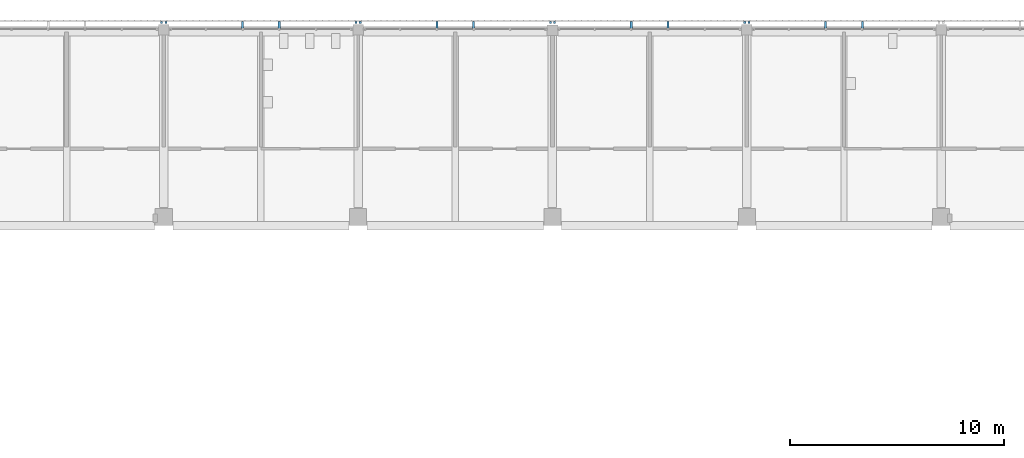
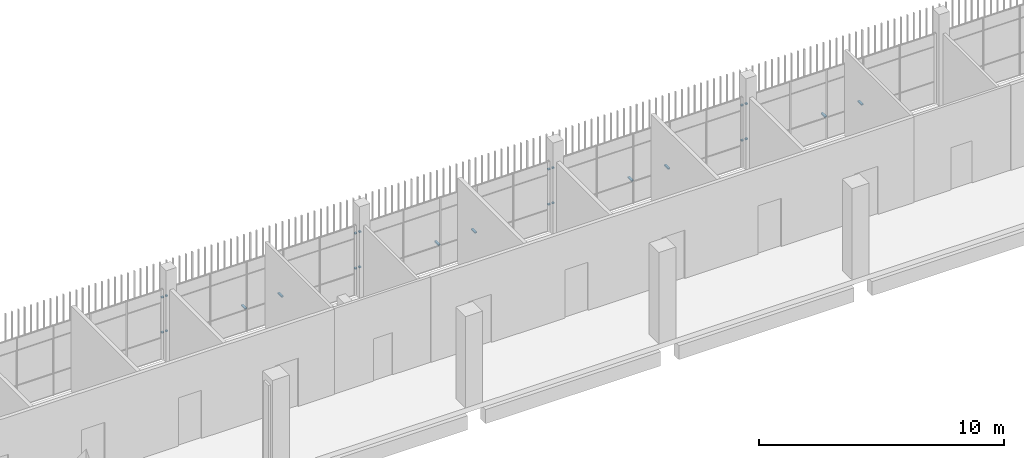
# One storey, part 97 of 124: 24 discrete accessories.
"""IFC4 building model written with IfcOpenShell, lengths in metres."""

from ifc_helpers import new_model, si_unit, direction, frame, origin, origin_2d, place, context, subcontext, project, spatial, rectangle, extrude, material, type_object, element, save


model = new_model("IFC4")

# Units and contexts
model_context = context("Model", 3, precision=1e-05, world=origin(), true_north=direction((0.0, 1.0)))
body_context = subcontext(model_context, "Body", "Model", "MODEL_VIEW")
ifc_project = project(units=[si_unit("LENGTHUNIT", "METRE"), si_unit("AREAUNIT", "SQUARE_METRE"), si_unit("VOLUMEUNIT", "CUBIC_METRE"), si_unit("PLANEANGLEUNIT", "RADIAN"), si_unit("MASSUNIT", "GRAM", prefix="KILO")], contexts=[model_context])

# Site, building, storey
site_placement = place(None, origin())
site = spatial("IfcSite", under=ifc_project, at=site_placement, CompositionType="ELEMENT")
building_placement = place(site_placement, origin())
building = spatial("IfcBuilding", under=site, at=building_placement, Name="Shirokan Park Arena", CompositionType="ELEMENT")
storey_placement = place(building_placement, frame((0.0, 0.0, 20.02001953125)))
storey = spatial("IfcBuildingStorey", under=building, at=storey_placement, Name="L04", CompositionType="ELEMENT", Elevation=20.02001953125)

# Discrete accessories
ifc_material = material(Name="Steel S355", Category="steel")
discrete_accessory_type = type_object("IfcDiscreteAccessoryType", Name="Veil bracket 100x60", PredefinedType="BRACKET", material=ifc_material)
for number, where, z_axis, x_axis, name in (
    (1, (91.10009765625, 109.597412109375, 1.070068359375), (0.0, 0.0, 1.0), (-1.0, 0.0, 0.0), "Veil bracket north bay 6 L04 2"),
    (2, (91.10009765625, 109.597412109375, 2.820068359375), (0.0, 0.0, 1.0), (-1.0, 0.0, 0.0), "Veil bracket north bay 6 L04 4"),
):
    element("IfcDiscreteAccessory", number, at=place(storey_placement, frame(where, z_axis=z_axis, x_axis=x_axis)), inside=storey, type_object=discrete_accessory_type, Name=name, PredefinedType="BRACKET", context=body_context, shape_type="SweptSolid", body=[
        extrude(rectangle(XDim=0.10009765625, YDim=0.094970703125, at=origin_2d()), origin(), (0.0, 0.0, 1.0), 0.06005859375),
    ])
for number, where, z_axis, x_axis, name in (
    (3, (96.409912109375, 109.485107421875, 1.070068359375), (0.0, 0.0, 1.0), (-1.0, 0.0, 0.0), "Veil bracket north bay 6 L04 wall 1"),
    (4, (94.68994140625, 109.485107421875, 1.070068359375), (0.0, 0.0, 1.0), (-1.0, 0.0, 0.0), "Veil bracket north bay 6 L04 wall 2"),
):
    element("IfcDiscreteAccessory", number, at=place(storey_placement, frame(where, z_axis=z_axis, x_axis=x_axis)), inside=storey, type_object=discrete_accessory_type, Name=name, PredefinedType="BRACKET", context=body_context, shape_type="SweptSolid", body=[
        extrude(rectangle(XDim=0.10009765625, YDim=0.320068359375, at=origin_2d()), origin(), (0.0, 0.0, 1.0), 0.06005859375),
    ])
for number, where, z_axis, x_axis, name in (
    (5, (90.89990234375, 109.597412109375, 1.070068359375), (0.0, 0.0, 1.0), (-1.0, 0.0, 0.0), "Veil bracket north bay 7 L04 1"),
    (6, (82.0, 109.597412109375, 1.070068359375), (0.0, 0.0, 1.0), (-1.0, 0.0, 0.0), "Veil bracket north bay 7 L04 2"),
    (7, (90.89990234375, 109.597412109375, 2.820068359375), (0.0, 0.0, 1.0), (-1.0, 0.0, 0.0), "Veil bracket north bay 7 L04 3"),
    (8, (82.0, 109.597412109375, 2.820068359375), (0.0, 0.0, 1.0), (-1.0, 0.0, 0.0), "Veil bracket north bay 7 L04 4"),
):
    element("IfcDiscreteAccessory", number, at=place(storey_placement, frame(where, z_axis=z_axis, x_axis=x_axis)), inside=storey, type_object=discrete_accessory_type, Name=name, PredefinedType="BRACKET", context=body_context, shape_type="SweptSolid", body=[
        extrude(rectangle(XDim=0.10009765625, YDim=0.094970703125, at=origin_2d()), origin(), (0.0, 0.0, 1.0), 0.06005859375),
    ])
for number, where, z_axis, x_axis, name in (
    (9, (87.31005859375, 109.485107421875, 1.070068359375), (0.0, 0.0, 1.0), (-1.0, 0.0, 0.0), "Veil bracket north bay 7 L04 wall 1"),
    (10, (85.590087890625, 109.485107421875, 1.070068359375), (0.0, 0.0, 1.0), (-1.0, 0.0, 0.0), "Veil bracket north bay 7 L04 wall 2"),
):
    element("IfcDiscreteAccessory", number, at=place(storey_placement, frame(where, z_axis=z_axis, x_axis=x_axis)), inside=storey, type_object=discrete_accessory_type, Name=name, PredefinedType="BRACKET", context=body_context, shape_type="SweptSolid", body=[
        extrude(rectangle(XDim=0.10009765625, YDim=0.320068359375, at=origin_2d()), origin(), (0.0, 0.0, 1.0), 0.06005859375),
    ])
for number, where, z_axis, x_axis, name in (
    (11, (81.800048828125, 109.597412109375, 1.070068359375), (0.0, 0.0, 1.0), (-1.0, 0.0, 0.0), "Veil bracket north bay 8 L04 1"),
    (12, (72.89990234375, 109.597412109375, 1.070068359375), (0.0, 0.0, 1.0), (-1.0, 0.0, 0.0), "Veil bracket north bay 8 L04 2"),
    (13, (81.800048828125, 109.597412109375, 2.820068359375), (0.0, 0.0, 1.0), (-1.0, 0.0, 0.0), "Veil bracket north bay 8 L04 3"),
    (14, (72.89990234375, 109.597412109375, 2.820068359375), (0.0, 0.0, 1.0), (-1.0, 0.0, 0.0), "Veil bracket north bay 8 L04 4"),
):
    element("IfcDiscreteAccessory", number, at=place(storey_placement, frame(where, z_axis=z_axis, x_axis=x_axis)), inside=storey, type_object=discrete_accessory_type, Name=name, PredefinedType="BRACKET", context=body_context, shape_type="SweptSolid", body=[
        extrude(rectangle(XDim=0.10009765625, YDim=0.094970703125, at=origin_2d()), origin(), (0.0, 0.0, 1.0), 0.06005859375),
    ])
for number, where, z_axis, x_axis, name in (
    (15, (78.2099609375, 109.485107421875, 1.070068359375), (0.0, 0.0, 1.0), (-1.0, 0.0, 0.0), "Veil bracket north bay 8 L04 wall 1"),
    (16, (76.489990234375, 109.485107421875, 1.070068359375), (0.0, 0.0, 1.0), (-1.0, 0.0, 0.0), "Veil bracket north bay 8 L04 wall 2"),
):
    element("IfcDiscreteAccessory", number, at=place(storey_placement, frame(where, z_axis=z_axis, x_axis=x_axis)), inside=storey, type_object=discrete_accessory_type, Name=name, PredefinedType="BRACKET", context=body_context, shape_type="SweptSolid", body=[
        extrude(rectangle(XDim=0.10009765625, YDim=0.320068359375, at=origin_2d()), origin(), (0.0, 0.0, 1.0), 0.06005859375),
    ])
for number, where, z_axis, x_axis, name in (
    (17, (72.699951171875, 109.597412109375, 1.070068359375), (0.0, 0.0, 1.0), (-1.0, 0.0, 0.0), "Veil bracket north bay 9 L04 1"),
    (18, (63.800048828125, 109.597412109375, 1.070068359375), (0.0, 0.0, 1.0), (-1.0, 0.0, 0.0), "Veil bracket north bay 9 L04 2"),
    (19, (72.699951171875, 109.597412109375, 2.820068359375), (0.0, 0.0, 1.0), (-1.0, 0.0, 0.0), "Veil bracket north bay 9 L04 3"),
    (20, (63.800048828125, 109.597412109375, 2.820068359375), (0.0, 0.0, 1.0), (-1.0, 0.0, 0.0), "Veil bracket north bay 9 L04 4"),
):
    element("IfcDiscreteAccessory", number, at=place(storey_placement, frame(where, z_axis=z_axis, x_axis=x_axis)), inside=storey, type_object=discrete_accessory_type, Name=name, PredefinedType="BRACKET", context=body_context, shape_type="SweptSolid", body=[
        extrude(rectangle(XDim=0.10009765625, YDim=0.094970703125, at=origin_2d()), origin(), (0.0, 0.0, 1.0), 0.06005859375),
    ])
for number, where, z_axis, x_axis, name in (
    (21, (69.110107421875, 109.485107421875, 1.070068359375), (0.0, 0.0, 1.0), (-1.0, 0.0, 0.0), "Veil bracket north bay 9 L04 wall 1"),
    (22, (67.389892578125, 109.485107421875, 1.070068359375), (0.0, 0.0, 1.0), (-1.0, 0.0, 0.0), "Veil bracket north bay 9 L04 wall 2"),
):
    element("IfcDiscreteAccessory", number, at=place(storey_placement, frame(where, z_axis=z_axis, x_axis=x_axis)), inside=storey, type_object=discrete_accessory_type, Name=name, PredefinedType="BRACKET", context=body_context, shape_type="SweptSolid", body=[
        extrude(rectangle(XDim=0.10009765625, YDim=0.320068359375, at=origin_2d()), origin(), (0.0, 0.0, 1.0), 0.06005859375),
    ])
for number, where, z_axis, x_axis, name in (
    (23, (63.60009765625, 109.597412109375, 1.070068359375), (0.0, 0.0, 1.0), (-1.0, 0.0, 0.0), "Veil bracket north bay 10 L04 1"),
    (24, (63.60009765625, 109.597412109375, 2.820068359375), (0.0, 0.0, 1.0), (-1.0, 0.0, 0.0), "Veil bracket north bay 10 L04 3"),
):
    element("IfcDiscreteAccessory", number, at=place(storey_placement, frame(where, z_axis=z_axis, x_axis=x_axis)), inside=storey, type_object=discrete_accessory_type, Name=name, PredefinedType="BRACKET", context=body_context, shape_type="SweptSolid", body=[
        extrude(rectangle(XDim=0.10009765625, YDim=0.094970703125, at=origin_2d()), origin(), (0.0, 0.0, 1.0), 0.06005859375),
    ])

save(model, "model.ifc")
